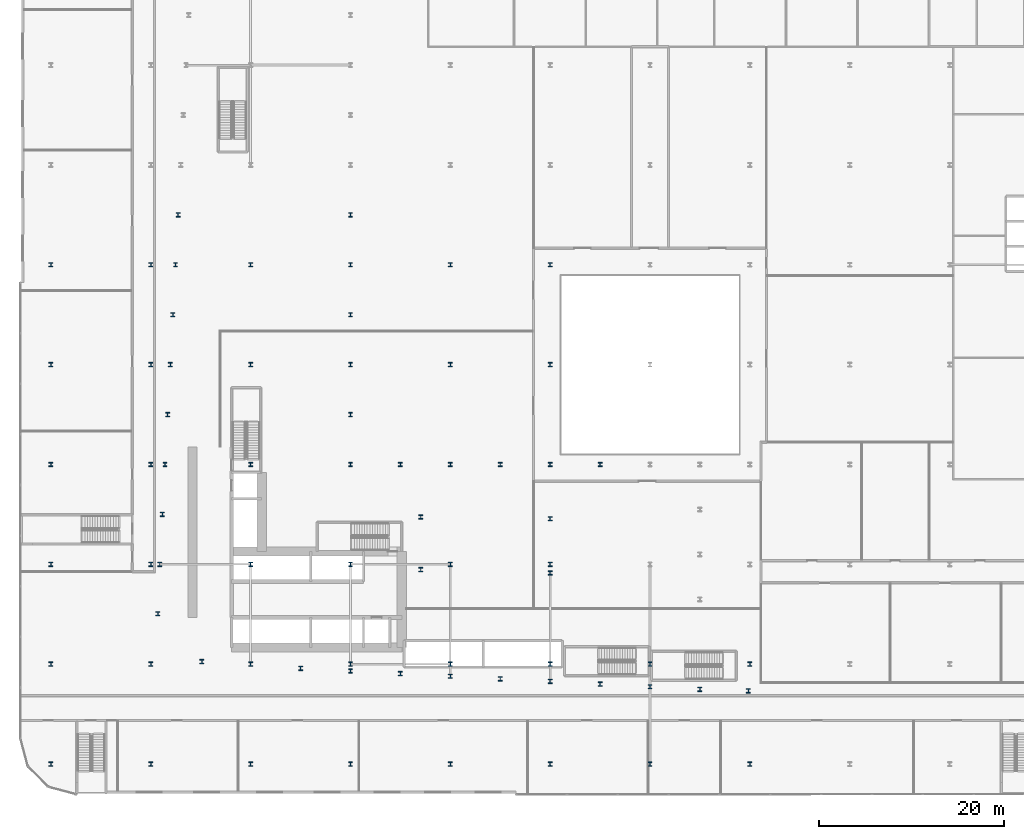
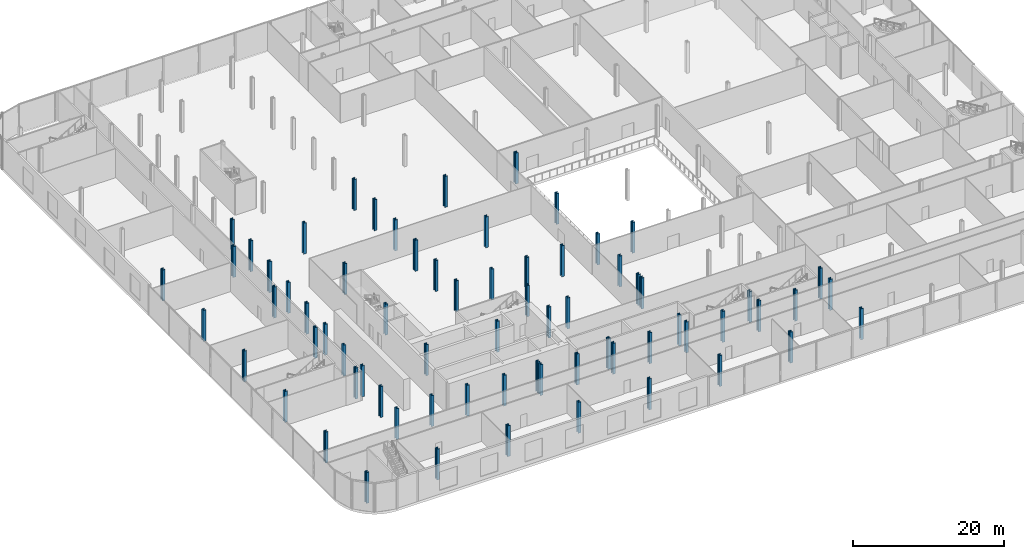
# One storey, part 1 of 47: 70 columns.
"""IFC4 building model written with IfcOpenShell, lengths in metres."""

from ifc_helpers import new_model, si_unit, direction, frame, origin, origin_2d, place, context, subcontext, project, spatial, i_section, extrude, material, material_profile, profile_set, type_object, element, save


model = new_model("IFC4")

# Units and contexts
model_context = context("Model", 3, precision=1e-05, world=origin(), true_north=direction((0.0, 1.0)))
body_context = subcontext(model_context, "Body", "Model", "MODEL_VIEW")
ifc_project = project(units=[si_unit("LENGTHUNIT", "METRE"), si_unit("AREAUNIT", "SQUARE_METRE"), si_unit("VOLUMEUNIT", "CUBIC_METRE"), si_unit("PLANEANGLEUNIT", "RADIAN"), si_unit("MASSUNIT", "GRAM", prefix="KILO")], contexts=[model_context])

# Site, building, storey
site_placement = place(None, origin())
site = spatial("IfcSite", under=ifc_project, at=site_placement, CompositionType="ELEMENT")
building_placement = place(site_placement, origin())
building = spatial("IfcBuilding", under=site, at=building_placement, Name="Kheshtan School and Residences Tower", CompositionType="ELEMENT")
storey_placement = place(building_placement, frame((0.0, 0.0, 7.5)))
storey = spatial("IfcBuildingStorey", under=building, at=storey_placement, Name="L01", CompositionType="ELEMENT", Elevation=7.5)

# Columns
ifc_material = material(Name="Steel ASTM A992 Grade 50", Category="steel")
ifc_material_profile = material_profile(ifc_material, i_section(OverallWidth=0.424072265625, OverallDepth=0.47412109375, WebThickness=0.047607421875, FlangeThickness=0.0771484375, FilletRadius=0.01416015625, at=origin_2d()), Name="W360x634")
ifc_profile_set = profile_set([ifc_material_profile], Name="Steel ASTM A992 Grade 50")
column_type = type_object("IfcColumnType", Name="Column PC1 W360x634 ASTM A992 Grade 50", PredefinedType="COLUMN", material=ifc_profile_set)
for number, where, z_axis, x_axis, name in (
    (1, (15.199951171875, 13.199951171875, 0.0), (0.0, 0.0, 1.0), (1.0, 0.0, 0.0), "Column P-001"),
    (2, (26.0, 13.199951171875, 0.0), (0.0, 0.0, 1.0), (1.0, 0.0, 0.0), "Column P-002"),
    (3, (36.800048828125, 13.199951171875, 0.0), (0.0, 0.0, 1.0), (1.0, 0.0, 0.0), "Column P-003"),
    (4, (47.60009765625, 13.199951171875, 0.0), (0.0, 0.0, 1.0), (1.0, 0.0, 0.0), "Column P-004"),
    (5, (58.39990234375, 13.199951171875, 0.0), (0.0, 0.0, 1.0), (1.0, 0.0, 0.0), "Column P-005"),
    (6, (69.199951171875, 13.199951171875, 0.0), (0.0, 0.0, 1.0), (1.0, 0.0, 0.0), "Column P-006"),
    (7, (80.0, 13.199951171875, 0.0), (0.0, 0.0, 1.0), (1.0, 0.0, 0.0), "Column P-007"),
    (8, (90.800048828125, 13.199951171875, 0.0), (0.0, 0.0, 1.0), (1.0, 0.0, 0.0), "Column P-008"),
    (9, (15.199951171875, 24.0, 0.0), (0.0, 0.0, 1.0), (1.0, 0.0, 0.0), "Column P-013"),
    (10, (26.0, 24.0, 0.0), (0.0, 0.0, 1.0), (1.0, 0.0, 0.0), "Column P-014"),
    (11, (36.800048828125, 24.0, 0.0), (0.0, 0.0, 1.0), (1.0, 0.0, 0.0), "Column P-015"),
    (12, (47.60009765625, 24.0, 0.0), (0.0, 0.0, 1.0), (1.0, 0.0, 0.0), "Column P-016"),
    (13, (58.39990234375, 24.0, 0.0), (0.0, 0.0, 1.0), (1.0, 0.0, 0.0), "Column P-017"),
    (14, (69.199951171875, 24.0, 0.0), (0.0, 0.0, 1.0), (1.0, 0.0, 0.0), "Column P-018"),
    (15, (80.0, 24.0, 0.0), (0.0, 0.0, 1.0), (1.0, 0.0, 0.0), "Column P-019"),
    (16, (90.800048828125, 24.0, 0.0), (0.0, 0.0, 1.0), (1.0, 0.0, 0.0), "Column P-020"),
    (17, (15.199951171875, 34.800048828125, 0.0), (0.0, 0.0, 1.0), (1.0, 0.0, 0.0), "Column P-025"),
    (18, (26.0, 34.800048828125, 0.0), (0.0, 0.0, 1.0), (1.0, 0.0, 0.0), "Column P-026"),
    (19, (36.800048828125, 34.800048828125, 0.0), (0.0, 0.0, 1.0), (1.0, 0.0, 0.0), "Column P-027"),
    (20, (47.60009765625, 34.800048828125, 0.0), (0.0, 0.0, 1.0), (1.0, 0.0, 0.0), "Column P-028"),
    (21, (58.39990234375, 34.800048828125, 0.0), (0.0, 0.0, 1.0), (1.0, 0.0, 0.0), "Column P-029"),
    (22, (69.199951171875, 34.800048828125, 0.0), (0.0, 0.0, 1.0), (1.0, 0.0, 0.0), "Column P-030"),
    (23, (15.199951171875, 45.60009765625, 0.0), (0.0, 0.0, 1.0), (1.0, 0.0, 0.0), "Column P-037"),
    (24, (26.0, 45.60009765625, 0.0), (0.0, 0.0, 1.0), (1.0, 0.0, 0.0), "Column P-038"),
    (25, (36.800048828125, 45.60009765625, 0.0), (0.0, 0.0, 1.0), (1.0, 0.0, 0.0), "Column P-039"),
    (26, (47.60009765625, 45.60009765625, 0.0), (0.0, 0.0, 1.0), (1.0, 0.0, 0.0), "Column P-040"),
    (27, (58.39990234375, 45.60009765625, 0.0), (0.0, 0.0, 1.0), (1.0, 0.0, 0.0), "Column P-041"),
    (28, (69.199951171875, 45.60009765625, 0.0), (0.0, 0.0, 1.0), (1.0, 0.0, 0.0), "Column P-042"),
    (29, (15.199951171875, 56.39990234375, 0.0), (0.0, 0.0, 1.0), (1.0, 0.0, 0.0), "Column P-049"),
    (30, (26.0, 56.39990234375, 0.0), (0.0, 0.0, 1.0), (1.0, 0.0, 0.0), "Column P-050"),
    (31, (36.800048828125, 56.39990234375, 0.0), (0.0, 0.0, 1.0), (1.0, 0.0, 0.0), "Column P-051"),
    (32, (47.60009765625, 56.39990234375, 0.0), (0.0, 0.0, 1.0), (1.0, 0.0, 0.0), "Column P-052"),
    (33, (58.39990234375, 56.39990234375, 0.0), (0.0, 0.0, 1.0), (1.0, 0.0, 0.0), "Column P-053"),
    (34, (69.199951171875, 56.39990234375, 0.0), (0.0, 0.0, 1.0), (1.0, 0.0, 0.0), "Column P-054"),
    (35, (15.199951171875, 67.199951171875, 0.0), (0.0, 0.0, 1.0), (1.0, 0.0, 0.0), "Column P-061"),
    (36, (26.0, 67.199951171875, 0.0), (0.0, 0.0, 1.0), (1.0, 0.0, 0.0), "Column P-062"),
    (37, (36.800048828125, 67.199951171875, 0.0), (0.0, 0.0, 1.0), (1.0, 0.0, 0.0), "Column P-063"),
    (38, (47.60009765625, 67.199951171875, 0.0), (0.0, 0.0, 1.0), (1.0, 0.0, 0.0), "Column P-064"),
    (39, (58.39990234375, 67.199951171875, 0.0), (0.0, 0.0, 1.0), (1.0, 0.0, 0.0), "Column P-065"),
    (40, (69.199951171875, 67.199951171875, 0.0), (0.0, 0.0, 1.0), (1.0, 0.0, 0.0), "Column P-066"),
    (41, (90.639892578125, 21.110107421875, 0.0), (0.0, 0.0, 1.0), (1.0, 0.0, 0.0), "Transfer column X01"),
    (42, (85.39990234375, 21.27001953125, 0.0), (0.0, 0.0, 1.0), (1.0, 0.0, 0.0), "Transfer column X02"),
    (43, (80.0, 21.56005859375, 0.0), (0.0, 0.0, 1.0), (1.0, 0.0, 0.0), "Transfer column X03"),
    (44, (74.60009765625, 21.840087890625, 0.0), (0.0, 0.0, 1.0), (1.0, 0.0, 0.0), "Transfer column X04"),
    (45, (69.199951171875, 22.1298828125, 0.0), (0.0, 0.0, 1.0), (1.0, 0.0, 0.0), "Transfer column X05"),
    (46, (63.800048828125, 22.409912109375, 0.0), (0.0, 0.0, 1.0), (1.0, 0.0, 0.0), "Transfer column X06"),
    (47, (58.39990234375, 22.699951171875, 0.0), (0.0, 0.0, 1.0), (1.0, 0.0, 0.0), "Transfer column X07"),
    (48, (53.0, 22.97998046875, 0.0), (0.0, 0.0, 1.0), (1.0, 0.0, 0.0), "Transfer column X08"),
    (49, (47.60009765625, 23.260009765625, 0.0), (0.0, 0.0, 1.0), (1.0, 0.0, 0.0), "Transfer column X09"),
    (50, (42.199951171875, 23.550048828125, 0.0), (0.0, 0.0, 1.0), (1.0, 0.0, 0.0), "Transfer column X10"),
    (51, (31.52001953125, 24.27001953125, 0.0), (0.0, 0.0, 1.0), (1.0, 0.0, 0.0), "Transfer column X11"),
    (52, (26.760009765625, 29.4599609375, 0.0), (0.0, 0.0, 1.0), (1.0, 0.0, 0.0), "Transfer column X12"),
    (53, (26.969970703125, 34.800048828125, 0.0), (0.0, 0.0, 1.0), (1.0, 0.0, 0.0), "Transfer column X13"),
    (54, (27.25, 40.199951171875, 0.0), (0.0, 0.0, 1.0), (1.0, 0.0, 0.0), "Transfer column X14"),
    (55, (27.5400390625, 45.60009765625, 0.0), (0.0, 0.0, 1.0), (1.0, 0.0, 0.0), "Transfer column X15"),
    (56, (53.0, 45.60009765625, 0.0), (0.0, 0.0, 1.0), (1.0, 0.0, 0.0), "Transfer column X16"),
    (57, (63.800048828125, 45.60009765625, 0.0), (0.0, 0.0, 1.0), (1.0, 0.0, 0.0), "Transfer column X17"),
    (58, (74.60009765625, 45.60009765625, 0.0), (0.0, 0.0, 1.0), (1.0, 0.0, 0.0), "Transfer column X18"),
    (59, (27.820068359375, 51.0, 0.0), (0.0, 0.0, 1.0), (1.0, 0.0, 0.0), "Transfer column X20"),
    (60, (47.60009765625, 51.0, 0.0), (0.0, 0.0, 1.0), (1.0, 0.0, 0.0), "Transfer column X21"),
    (61, (28.110107421875, 56.39990234375, 0.0), (0.0, 0.0, 1.0), (1.0, 0.0, 0.0), "Transfer column X22"),
    (62, (28.389892578125, 61.800048828125, 0.0), (0.0, 0.0, 1.0), (1.0, 0.0, 0.0), "Transfer column X23"),
    (63, (47.60009765625, 61.800048828125, 0.0), (0.0, 0.0, 1.0), (1.0, 0.0, 0.0), "Transfer column X24"),
    (64, (28.669921875, 67.199951171875, 0.0), (0.0, 0.0, 1.0), (1.0, 0.0, 0.0), "Transfer column X25"),
    (65, (28.9599609375, 72.60009765625, 0.0), (0.0, 0.0, 1.0), (1.0, 0.0, 0.0), "Transfer column X26"),
    (66, (47.60009765625, 72.60009765625, 0.0), (0.0, 0.0, 1.0), (1.0, 0.0, 0.0), "Transfer column X27"),
    (67, (69.199951171875, 33.860107421875, 0.0), (0.0, 0.0, 1.0), (1.0, 0.0, 0.0), "Transfer column X36"),
    (68, (55.199951171875, 34.22998046875, 0.0), (0.0, 0.0, 1.0), (1.0, 0.0, 0.0), "Transfer column X37"),
    (69, (69.199951171875, 39.72998046875, 0.0), (0.0, 0.0, 1.0), (1.0, 0.0, 0.0), "Transfer column X39"),
    (70, (55.199951171875, 39.919921875, 0.0), (0.0, 0.0, 1.0), (1.0, 0.0, 0.0), "Transfer column X40"),
):
    element("IfcColumn", number, at=place(storey_placement, frame(where, z_axis=z_axis, x_axis=x_axis)), inside=storey, type_object=column_type, Name=name, PredefinedType="COLUMN", context=body_context, shape_type="SweptSolid", body=[
        extrude(i_section(OverallWidth=0.424072265625, OverallDepth=0.47412109375, WebThickness=0.047607421875, FlangeThickness=0.0771484375, FilletRadius=0.01416015625, at=origin_2d()), origin(), (0.0, 0.0, 1.0), 5.0),
    ])

save(model, "model.ifc")
